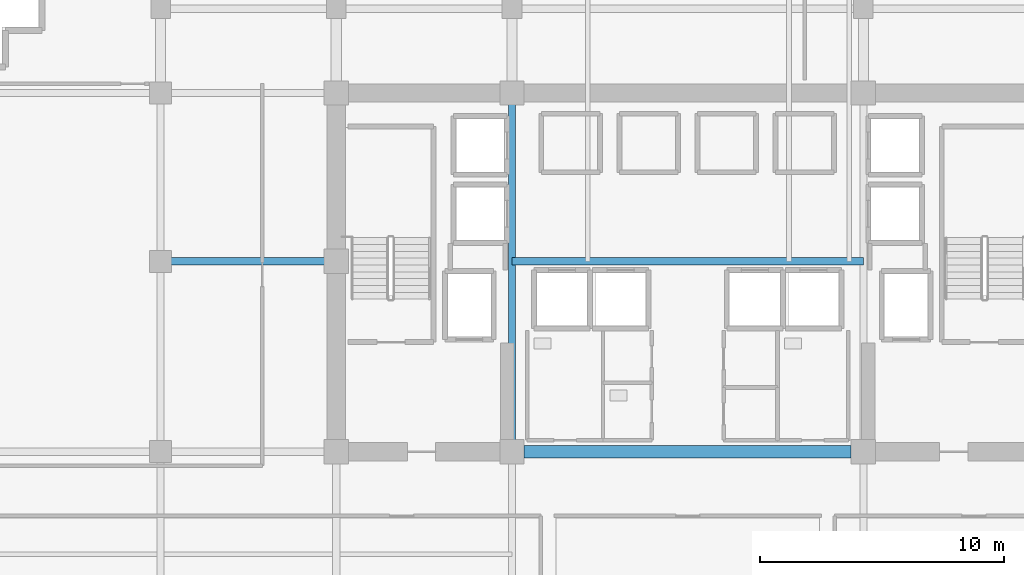
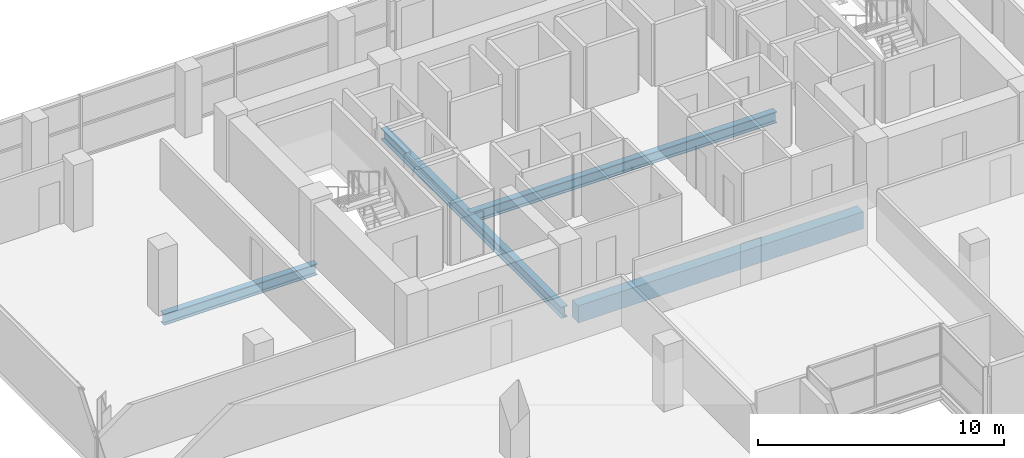
# One storey, part 10 of 27: 4 beams.
"""IFC4 building model written with IfcOpenShell, lengths in metres."""

from ifc_helpers import new_model, si_unit, direction, frame, origin, origin_2d, place, context, subcontext, project, spatial, rectangle, i_section, extrude, material, material_profile, profile_set, type_object, element, save


model = new_model("IFC4")

# Units and contexts
model_context = context("Model", 3, precision=1e-05, world=origin(), true_north=direction((0.0, 1.0)))
body_context = subcontext(model_context, "Body", "Model", "MODEL_VIEW")
ifc_project = project(units=[si_unit("LENGTHUNIT", "METRE"), si_unit("AREAUNIT", "SQUARE_METRE"), si_unit("VOLUMEUNIT", "CUBIC_METRE"), si_unit("PLANEANGLEUNIT", "RADIAN"), si_unit("MASSUNIT", "GRAM", prefix="KILO")], contexts=[model_context])

# Site, building, storey
site_placement = place(None, origin())
site = spatial("IfcSite", under=ifc_project, at=site_placement, CompositionType="ELEMENT")
building_placement = place(site_placement, origin())
building = spatial("IfcBuilding", under=site, at=building_placement, Name="Zarnakvel Exchange Tower", CompositionType="ELEMENT")
storey_placement = place(building_placement, frame((0.0, 0.0, 86.800048828125)))
storey = spatial("IfcBuildingStorey", under=building, at=storey_placement, Name="L23", CompositionType="ELEMENT", Elevation=86.800048828125)

# Beams
ifc_material_1 = material(Name="Concrete C60/75", Category="concrete")
ifc_material_profile_1 = material_profile(ifc_material_1, rectangle(XDim=0.5, YDim=0.85009765625, at=origin_2d()))
ifc_profile_set_1 = profile_set([ifc_material_profile_1], Name="Concrete C60/75")
beam_type_1 = type_object("IfcBeamType", Name="CB-02", PredefinedType="LINTEL", material=ifc_profile_set_1)
beam_1_placement = place(storey_placement, frame((-6.699951171875, -1.199951171875, -0.675048828125), z_axis=(1.0, 0.0, 0.0), x_axis=(0.0, 1.0, 0.0)))
element("IfcBeam", 1, at=beam_1_placement, inside=storey, type_object=beam_type_1, Name="L23 Rear Core South Coupling Beam (CB-02)", PredefinedType="LINTEL", context=body_context, shape_type="SweptSolid", body=[
    extrude(rectangle(XDim=0.5, YDim=0.85009765625, at=origin_2d()), origin(), (0.0, 0.0, 1.0), 13.39990234375),
])
ifc_material_2 = material(Name="Steel S355", Category="steel")
ifc_material_profile_2 = material_profile(ifc_material_2, i_section(OverallWidth=0.300048828125, OverallDepth=0.550048828125, WebThickness=0.014892578125, FlangeThickness=0.029052734375, FilletRadius=0.027099609375, at=origin_2d()))
ifc_profile_set_2 = profile_set([ifc_material_profile_2], Name="Steel S355")
beam_type_2 = type_object("IfcBeamType", Name="G-05", PredefinedType="BEAM", material=ifc_profile_set_2)
beam_2_placement = place(storey_placement, frame((-21.60009765625, 6.60009765625, -0.525146484375), z_axis=(1.0, 0.0, 0.0), x_axis=(0.0, 1.0, 0.0)))
element("IfcBeam", 2, at=beam_2_placement, inside=storey, type_object=beam_type_2, Name="L23 Tower E-W Frame Beam", PredefinedType="BEAM", context=body_context, shape_type="SweptSolid", body=[
    extrude(i_section(OverallWidth=0.300048828125, OverallDepth=0.550048828125, WebThickness=0.014892578125, FlangeThickness=0.029052734375, FilletRadius=0.027099609375, at=origin_2d()), origin(), (0.0, 0.0, 1.0), 7.2001953125),
])
beam_3_placement = place(storey_placement, frame((-7.199951171875, -1.199951171875, -0.525146484375), z_axis=(0.0, 1.0, 0.0), x_axis=(-1.0, 0.0, 0.0)))
element("IfcBeam", 3, at=beam_3_placement, inside=storey, type_object=beam_type_2, Name="L23 Tower N-S Frame Beam", PredefinedType="BEAM", context=body_context, shape_type="SweptSolid", body=[
    extrude(i_section(OverallWidth=0.300048828125, OverallDepth=0.550048828125, WebThickness=0.014892578125, FlangeThickness=0.029052734375, FilletRadius=0.027099609375, at=origin_2d()), origin(), (0.0, 0.0, 1.0), 14.699951171875),
])
beam_4_placement = place(storey_placement, frame((-7.199951171875, 6.60009765625, -0.525146484375), z_axis=(1.0, 0.0, 0.0), x_axis=(0.0, 1.0, 0.0)))
element("IfcBeam", 4, at=beam_4_placement, inside=storey, type_object=beam_type_2, Name="L23 Core Central Lobby Mid Girder", PredefinedType="BEAM", context=body_context, shape_type="SweptSolid", body=[
    extrude(i_section(OverallWidth=0.300048828125, OverallDepth=0.550048828125, WebThickness=0.014892578125, FlangeThickness=0.029052734375, FilletRadius=0.027099609375, at=origin_2d()), origin(), (0.0, 0.0, 1.0), 14.39990234375),
])

save(model, "model.ifc")
